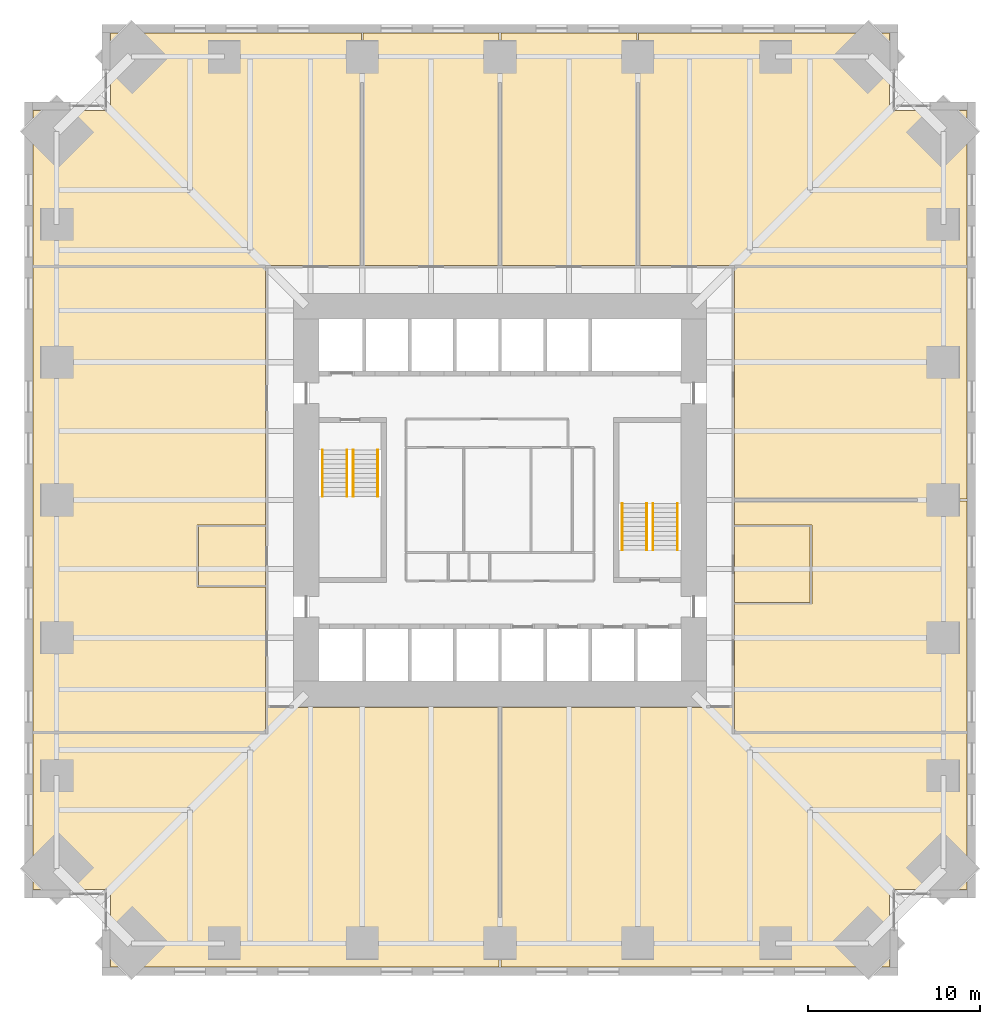
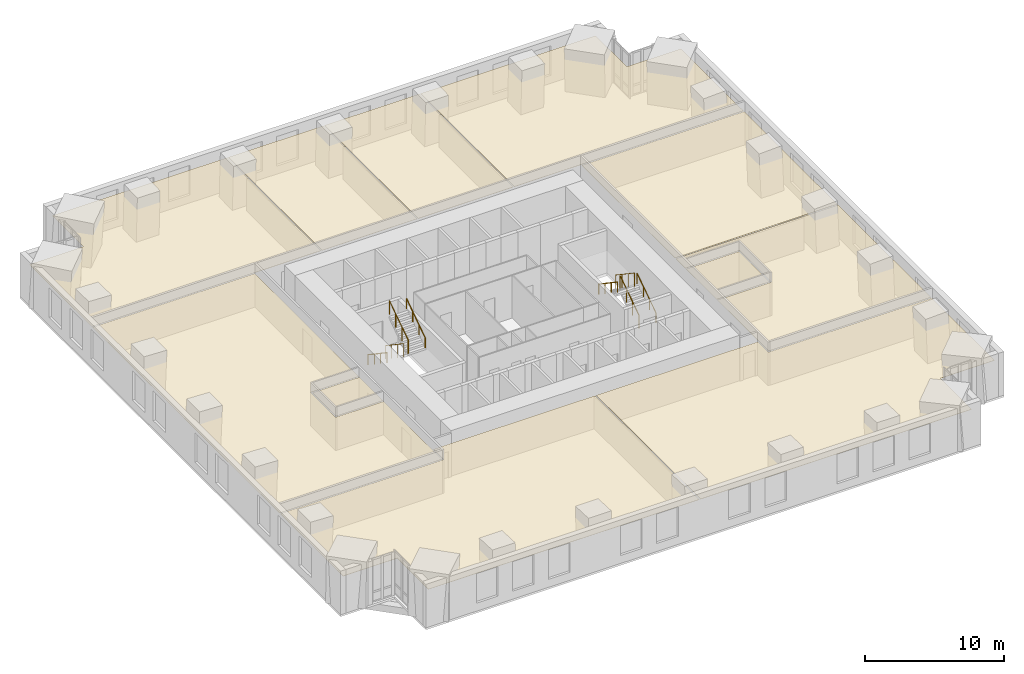
# One storey, part 16 of 16: 11 coverings, 8 railings.
"""IFC4 building model written with IfcOpenShell, lengths in metres."""

import ifcopenshell
import ifcopenshell.guid

model = None  # the IFC model being written
_history = None  # IfcOwnerHistory: only IFC2X3 demands one
_inside = {}  # id of a spatial element -> (the spatial element, [elements in it])
_under = {}  # id of a project, library or spatial element -> (it, [spatial elements below it])
_declared = {}  # id of a project -> (the project, [libraries it declares])
_typed = {}  # id of a type object -> (the type object, [elements of that type])
_made_of = {}  # id of a material, layer set ... -> (it, [elements and type objects made of it])


def new_model(schema):
    """Start an empty IFC model of exactly this schema.

    Asked for "IFC4X3", IfcOpenShell would pick the latest addendum, in which some entities
    have other attributes; the version numbers below select the first issue.
    IFC2X3 requires an IfcOwnerHistory on every rooted entity: one is made here for all.
    """
    global model, _history
    if schema == "IFC4X3":
        model = ifcopenshell.file(schema_version=(4, 3, 0, 0))
    else:
        model = ifcopenshell.file(schema=schema)
    _inside.clear()
    _under.clear()
    _declared.clear()
    _typed.clear()
    _made_of.clear()
    _history = None
    if model.schema == "IFC2X3":
        org = make("IfcOrganization", Name="unknown")
        user = make(
            "IfcPersonAndOrganization",
            ThePerson=make("IfcPerson", FamilyName="unknown"),
            TheOrganization=org,
        )
        app = make(
            "IfcApplication",
            ApplicationDeveloper=org,
            Version="unknown",
            ApplicationFullName="unknown",
            ApplicationIdentifier="unknown",
        )
        _history = make(
            "IfcOwnerHistory",
            OwningUser=user,
            OwningApplication=app,
            ChangeAction="ADDED",
            CreationDate=0,
        )
    return model


def make(cls, **values):
    """One entity of the class cls with the attributes given. An attribute that is None is left unset."""
    return model.create_entity(
        cls, **{name: value for name, value in values.items() if value is not None}
    )


def rooted(cls, **values):
    """An entity with a GlobalId (a new one), such as an element, a storey or a relation."""
    return make(cls, GlobalId=ifcopenshell.guid.new(), OwnerHistory=_history, **values)


def si_unit(unit_type, name, prefix=None):
    """IfcSIUnit, for example si_unit("LENGTHUNIT", "METRE", prefix="MILLI")."""
    return make("IfcSIUnit", UnitType=unit_type, Prefix=prefix, Name=name)


def assignment(units):
    """IfcUnitAssignment: the units of a project."""
    return None if units is None else make("IfcUnitAssignment", Units=units)


def point(xyz):
    """IfcCartesianPoint."""
    return None if xyz is None else make("IfcCartesianPoint", Coordinates=xyz)


def direction(xyz):
    """IfcDirection."""
    return None if xyz is None else make("IfcDirection", DirectionRatios=xyz)


def frame(location, z_axis=None, x_axis=None):
    """IfcAxis2Placement3D, a coordinate frame: its origin and axes. An axis left out is left unset."""
    return make(
        "IfcAxis2Placement3D",
        Location=point(location),
        Axis=direction(z_axis),
        RefDirection=direction(x_axis),
    )


def frame_2d(location, x_axis=None):
    """IfcAxis2Placement2D, a coordinate frame in the plane: its origin and x axis."""
    return make(
        "IfcAxis2Placement2D", Location=point(location), RefDirection=direction(x_axis)
    )


def origin():
    """The frame at (0, 0, 0) with its axes left unset."""
    return frame((0.0, 0.0, 0.0))


def origin_2d():
    """The frame at (0, 0) in the plane with its x axis left unset."""
    return frame_2d((0.0, 0.0))


def place(relative_to, where):
    """IfcLocalPlacement: puts the frame where relative to a parent placement (None: the world)."""
    return make(
        "IfcLocalPlacement", PlacementRelTo=relative_to, RelativePlacement=where
    )


def context(
    kind, dimensions, precision=None, world=None, true_north=None, identifier=None
):
    """IfcGeometricRepresentationContext, for example the 3D "Model" context."""
    return make(
        "IfcGeometricRepresentationContext",
        ContextIdentifier=identifier,
        ContextType=kind,
        CoordinateSpaceDimension=dimensions,
        Precision=precision,
        WorldCoordinateSystem=world,
        TrueNorth=true_north,
    )


def subcontext(parent, identifier, kind, view, scale=None):
    """IfcGeometricRepresentationSubContext, for example "Body" below "Model"."""
    return make(
        "IfcGeometricRepresentationSubContext",
        ContextIdentifier=identifier,
        ContextType=kind,
        ParentContext=parent,
        TargetScale=scale,
        TargetView=view,
    )


def project(units=None, contexts=None):
    """IfcProject with its units and contexts."""
    return rooted(
        "IfcProject",
        Name="project",
        RepresentationContexts=contexts,
        UnitsInContext=assignment(units),
    )


def spatial(cls, under=None, at=None, **own):
    """A site, building, storey or space (cls), placed at a placement, below another one or the project."""
    s = rooted(cls, ObjectPlacement=at, **own)
    if under is not None:
        _under.setdefault(under.id(), (under, []))[1].append(s)
    return s


def polyline(points):
    """IfcPolyline through the points."""
    return make("IfcPolyline", Points=[point(p) for p in points])


def profile(cls, at=None, kind="AREA", **sizes):
    """A parametric profile (cls). Its sizes go by their IFC names, for example OverallWidth=200.0."""
    return make(cls, ProfileType=kind, Position=at, **sizes)


def circle(**sizes):
    """IfcCircleProfileDef."""
    return profile("IfcCircleProfileDef", **sizes)


def outline(outer, holes=None, kind="AREA"):
    """IfcArbitraryClosedProfileDef: a profile drawn as a closed curve; with holes, ...WithVoids."""
    if holes is None:
        return make("IfcArbitraryClosedProfileDef", ProfileType=kind, OuterCurve=outer)
    return make(
        "IfcArbitraryProfileDefWithVoids",
        ProfileType=kind,
        OuterCurve=outer,
        InnerCurves=holes,
    )


def extrude(swept, where, along, depth):
    """IfcExtrudedAreaSolid: the profile swept, set in the frame where, extruded along a direction by depth."""
    return make(
        "IfcExtrudedAreaSolid",
        SweptArea=swept,
        Position=where,
        ExtrudedDirection=direction(along),
        Depth=depth,
    )


def shape(context_of_items, identifier, shape_type, items):
    """IfcShapeRepresentation: the items that make up one representation, for example the "Body"."""
    return make(
        "IfcShapeRepresentation",
        ContextOfItems=context_of_items,
        RepresentationIdentifier=identifier,
        RepresentationType=shape_type,
        Items=items,
    )


def material(Name=None, Category=None):
    """IfcMaterial."""
    return make("IfcMaterial", Name=Name, Category=Category)


def layer(
    of_material, thickness, ventilated=None, Name=None, Category=None, Priority=None
):
    """IfcMaterialLayer: one layer of a wall or slab, of a material (None: an air gap)."""
    return make(
        "IfcMaterialLayer",
        Material=of_material,
        LayerThickness=thickness,
        IsVentilated=ventilated,
        Name=Name,
        Category=Category,
        Priority=Priority,
    )


def layer_set(layers, Name=None):
    """IfcMaterialLayerSet."""
    return make("IfcMaterialLayerSet", MaterialLayers=layers, LayerSetName=Name)


def made_of(thing, what):
    """Note that an element or type object is made of a material, layer set ...; save() writes the relation."""
    if what is not None:
        _made_of.setdefault(what.id(), (what, []))[1].append(thing)
    return thing


def type_object(cls, material=None, **own):
    """A type object (cls), such as IfcWallType, which elements share."""
    return made_of(rooted(cls, **own), material)


def element(
    cls,
    number,
    at=None,
    inside=None,
    cuts=None,
    type_object=None,
    material=None,
    context=None,
    identifier="Body",
    shape_type=None,
    held_by="IfcProductDefinitionShape",
    body=None,
    shapes=None,
    **own,
):
    """One element of the class cls, such as IfcWall. Its Tag is "e" and its number.

    at: its placement. inside: the storey or other place that contains it. cuts: it is an
    opening in that element (IfcRelVoidsElement). A single representation is given by context,
    identifier, shape_type and body (its items); several are given by shapes. held_by: the class
    of the entity that holds the representations. save() writes the other relations.
    """
    e = rooted(cls, Tag="e%d" % number, ObjectPlacement=at, **own)
    if body is not None:
        shapes = [shape(context, identifier, shape_type, body)]
    if shapes is not None:
        e.Representation = make(held_by, Representations=shapes)
    if inside is not None:
        _inside.setdefault(inside.id(), (inside, []))[1].append(e)
    if cuts is not None:
        rooted(
            "IfcRelVoidsElement", RelatingBuildingElement=cuts, RelatedOpeningElement=e
        )
    if type_object is not None:
        _typed.setdefault(type_object.id(), (type_object, []))[1].append(e)
    return made_of(e, material)


def aggregate(whole, parts):
    """IfcRelAggregates: a whole, such as a stair, and the parts it consists of."""
    return rooted("IfcRelAggregates", RelatingObject=whole, RelatedObjects=parts)


def save(model, path):
    """Write the relations noted so far, then the file.

    IfcRelAggregates (storeys below a building ...), IfcRelContainedInSpatialStructure (elements
    in a storey), IfcRelDefinesByType, IfcRelAssociatesMaterial and IfcRelDeclares: one each for
    every whole, place, type object, material and project.
    """
    for whole, parts in _under.values():
        aggregate(whole, parts)
    for where, things in _inside.values():
        rooted(
            "IfcRelContainedInSpatialStructure",
            RelatedElements=things,
            RelatingStructure=where,
        )
    for kind, things in _typed.values():
        rooted("IfcRelDefinesByType", RelatedObjects=things, RelatingType=kind)
    for what, things in _made_of.values():
        rooted("IfcRelAssociatesMaterial", RelatedObjects=things, RelatingMaterial=what)
    for by, libraries in _declared.values():
        rooted("IfcRelDeclares", RelatingContext=by, RelatedDefinitions=libraries)
    model.write(path)


model = new_model("IFC4")

# Units and contexts
model_context = context("Model", 3, precision=1e-05, world=origin(), true_north=direction((0.0, 1.0)))
body_context = subcontext(model_context, "Body", "Model", "MODEL_VIEW")
ifc_project = project(units=[si_unit("LENGTHUNIT", "METRE"), si_unit("AREAUNIT", "SQUARE_METRE"), si_unit("VOLUMEUNIT", "CUBIC_METRE"), si_unit("PLANEANGLEUNIT", "RADIAN"), si_unit("MASSUNIT", "GRAM", prefix="KILO")], contexts=[model_context])

# Site, building, storey
site_placement = place(None, origin())
site = spatial("IfcSite", under=ifc_project, at=site_placement, CompositionType="ELEMENT")
building_placement = place(site_placement, origin())
building = spatial("IfcBuilding", under=site, at=building_placement, Name="Peilmerk Tower", CompositionType="ELEMENT")
storey_placement = place(building_placement, frame((0.0, 0.0, 127.800048828125)))
storey = spatial("IfcBuildingStorey", under=building, at=storey_placement, Name="L25", CompositionType="ELEMENT", Elevation=127.800048828125)

# Coverings
ifc_material_1 = material(Name="Mineral fibre ceiling tiles", Category="mineral")
ifc_layer = layer(ifc_material_1, 0.02490234375)
ifc_layer_set = layer_set([ifc_layer], Name="Mineral fibre ceiling tiles")
covering_type = type_object("IfcCoveringType", Name="CL1 25 suspended ceiling", PredefinedType="CEILING", material=ifc_layer_set)
covering_1_placement = place(storey_placement, frame((0.0, 0.0, 2.905029296875)))
element("IfcCovering", 1, at=covering_1_placement, inside=storey, type_object=covering_type, Name="Suspended ceiling Tenant suite", PredefinedType="CEILING", context=body_context, shape_type="SweptSolid", body=[
    extrude(outline(polyline([(-27.10009765625, 22.60009765625), (-27.10009765625, 13.60009765625), (-8.050048828125, 13.60009765625), (-8.050048828125, 27.10009765625), (-22.60009765625, 27.10009765625), (-22.60009765625, 22.60009765625), (-27.10009765625, 22.60009765625)])), origin(), (0.0, 0.0, 1.0), 0.02490234375),
])
covering_2_placement = place(storey_placement, frame((0.0, 0.0, 2.905029296875)))
element("IfcCovering", 2, at=covering_2_placement, inside=storey, type_object=covering_type, Name="Suspended ceiling Tenant suite", PredefinedType="CEILING", context=body_context, shape_type="SweptSolid", body=[
    extrude(outline(polyline([(-0.050048828125, 27.10009765625), (-7.949951171875, 27.10009765625), (-7.949951171875, 13.60009765625), (-0.050048828125, 13.60009765625), (-0.050048828125, 27.10009765625)])), origin(), (0.0, 0.0, 1.0), 0.02490234375),
])
covering_3_placement = place(storey_placement, frame((0.0, 0.0, 2.905029296875)))
element("IfcCovering", 3, at=covering_3_placement, inside=storey, type_object=covering_type, Name="Suspended ceiling Tenant suite", PredefinedType="CEILING", context=body_context, shape_type="SweptSolid", body=[
    extrude(outline(polyline([(7.949951171875, 27.10009765625), (0.050048828125, 27.10009765625), (0.050048828125, 13.60009765625), (7.949951171875, 13.60009765625), (7.949951171875, 27.10009765625)])), origin(), (0.0, 0.0, 1.0), 0.02490234375),
])
covering_4_placement = place(storey_placement, frame((0.0, 0.0, 2.905029296875)))
element("IfcCovering", 4, at=covering_4_placement, inside=storey, type_object=covering_type, Name="Suspended ceiling Tenant suite", PredefinedType="CEILING", context=body_context, shape_type="SweptSolid", body=[
    extrude(outline(polyline([(22.60009765625, 27.10009765625), (8.050048828125, 27.10009765625), (8.050048828125, 13.60009765625), (27.10009765625, 13.60009765625), (27.10009765625, 22.60009765625), (22.60009765625, 22.60009765625), (22.60009765625, 27.10009765625)])), origin(), (0.0, 0.0, 1.0), 0.02490234375),
])
covering_5_placement = place(storey_placement, frame((0.0, 0.0, 2.905029296875)))
element("IfcCovering", 5, at=covering_5_placement, inside=storey, type_object=covering_type, Name="Suspended ceiling Tenant suite", PredefinedType="CEILING", context=body_context, shape_type="SweptSolid", body=[
    extrude(outline(polyline([(-22.60009765625, -27.10009765625), (-0.050048828125, -27.10009765625), (-0.050048828125, -12.050048828125), (-13.5, -12.050048828125), (-13.5, -13.550048828125), (-27.10009765625, -13.550048828125), (-27.10009765625, -22.60009765625), (-22.60009765625, -22.60009765625), (-22.60009765625, -27.10009765625)])), origin(), (0.0, 0.0, 1.0), 0.02490234375),
])
covering_6_placement = place(storey_placement, frame((0.0, 0.0, 2.905029296875)))
element("IfcCovering", 6, at=covering_6_placement, inside=storey, type_object=covering_type, Name="Suspended ceiling Tenant suite", PredefinedType="CEILING", context=body_context, shape_type="SweptSolid", body=[
    extrude(outline(polyline([(0.050048828125, -27.10009765625), (22.60009765625, -27.10009765625), (22.60009765625, -22.60009765625), (27.10009765625, -22.60009765625), (27.10009765625, -13.550048828125), (13.5, -13.550048828125), (13.5, -12.050048828125), (0.050048828125, -12.050048828125), (0.050048828125, -27.10009765625)])), origin(), (0.0, 0.0, 1.0), 0.02490234375),
])
covering_7_placement = place(storey_placement, frame((0.0, 0.0, 2.905029296875)))
element("IfcCovering", 7, at=covering_7_placement, inside=storey, type_object=covering_type, Name="Suspended ceiling Tenant suite", PredefinedType="CEILING", context=body_context, shape_type="SweptSolid", body=[
    extrude(outline(polyline([(13.60009765625, -13.449951171875), (27.10009765625, -13.449951171875), (27.10009765625, -0.050048828125), (13.60009765625, -0.050048828125), (13.60009765625, -1.449951171875), (18.10009765625, -1.449951171875), (18.10009765625, -6.050048828125), (13.60009765625, -6.050048828125), (13.60009765625, -13.449951171875)])), origin(), (0.0, 0.0, 1.0), 0.02490234375),
])
covering_8_placement = place(storey_placement, frame((0.0, 0.0, 2.905029296875)))
element("IfcCovering", 8, at=covering_8_placement, inside=storey, type_object=covering_type, Name="Suspended ceiling Tenant suite", PredefinedType="CEILING", context=body_context, shape_type="SweptSolid", body=[
    extrude(outline(polyline([(27.10009765625, 0.050048828125), (27.10009765625, 13.5), (13.60009765625, 13.5), (13.60009765625, 0.050048828125), (27.10009765625, 0.050048828125)])), origin(), (0.0, 0.0, 1.0), 0.02490234375),
])
covering_9_placement = place(storey_placement, frame((0.0, 0.0, 2.905029296875)))
element("IfcCovering", 9, at=covering_9_placement, inside=storey, type_object=covering_type, Name="Suspended ceiling Meeting room", PredefinedType="CEILING", context=body_context, shape_type="SweptSolid", body=[
    extrude(outline(polyline([(18.0, -5.949951171875), (18.0, -1.550048828125), (13.60009765625, -1.550048828125), (13.60009765625, -5.949951171875), (18.0, -5.949951171875)])), origin(), (0.0, 0.0, 1.0), 0.02490234375),
])
covering_10_placement = place(storey_placement, frame((0.0, 0.0, 2.905029296875)))
element("IfcCovering", 10, at=covering_10_placement, inside=storey, type_object=covering_type, Name="Suspended ceiling Tenant suite", PredefinedType="CEILING", context=body_context, shape_type="SweptSolid", body=[
    extrude(outline(polyline([(-13.60009765625, 13.5), (-27.10009765625, 13.5), (-27.10009765625, -13.449951171875), (-13.60009765625, -13.449951171875), (-13.60009765625, -5.050048828125), (-17.60009765625, -5.050048828125), (-17.60009765625, -1.449951171875), (-13.60009765625, -1.449951171875), (-13.60009765625, 13.5)])), origin(), (0.0, 0.0, 1.0), 0.02490234375),
])
covering_11_placement = place(storey_placement, frame((0.0, 0.0, 2.905029296875)))
element("IfcCovering", 11, at=covering_11_placement, inside=storey, type_object=covering_type, Name="Suspended ceiling Pantry", PredefinedType="CEILING", context=body_context, shape_type="SweptSolid", body=[
    extrude(outline(polyline([(-13.60009765625, -4.949951171875), (-13.60009765625, -1.550048828125), (-17.5, -1.550048828125), (-17.5, -4.949951171875), (-13.60009765625, -4.949951171875)])), origin(), (0.0, 0.0, 1.0), 0.02490234375),
])

# Railings
ifc_material_2 = material(Name="Steel flat bar balustrade", Category="steel")
railing_type_1 = type_object("IfcRailingType", Name="GR1 1200 stair guard", PredefinedType="GUARDRAIL", material=ifc_material_2)
railing_1_placement = place(storey_placement, frame((-8.8798828125, 2.89990234375, 0.181884765625)))
element("IfcRailing", 12, at=railing_1_placement, inside=storey, type_object=railing_type_1, Name="Guard stair 1 L25", PredefinedType="GUARDRAIL", context=body_context, shape_type="SweptSolid", body=[
    extrude(circle(Radius=0.02392578125, at=origin_2d()), frame((0.0, 0.0, 1.17578125), z_axis=(0.0, -0.829468130872, 0.55855404382), x_axis=(1.0, 0.0, 0.0)), (0.0, 0.0, 1.0), 3.255126953125),
    extrude(circle(Radius=0.02099609375, at=origin_2d()), origin(), (0.0, 0.0, 1.0), 1.15185546875),
    extrude(circle(Radius=0.02099609375, at=origin_2d()), frame((0.0, -0.89990234375, 0.60595703125)), (0.0, 0.0, 1.0), 1.15185546875),
    extrude(circle(Radius=0.02099609375, at=origin_2d()), frame((0.0, -1.800048828125, 1.212158203125)), (0.0, 0.0, 1.0), 1.15185546875),
    extrude(circle(Radius=0.02099609375, at=origin_2d()), frame((0.0, -2.699951171875, 1.818115234375)), (0.0, 0.0, 1.0), 1.15185546875),
])
for number, where, name in (
    (13, (-8.52001953125, 0.199951171875, 2.181884765625), "Guard stair 1 L25"),
    (14, (8.8798828125, -2.89990234375, 0.181884765625), "Guard stair 2 L25"),
):
    element("IfcRailing", number, at=place(storey_placement, frame(where)), inside=storey, type_object=railing_type_1, Name=name, PredefinedType="GUARDRAIL", context=body_context, shape_type="SweptSolid", body=[
        extrude(circle(Radius=0.02392578125, at=origin_2d()), frame((0.0, 0.0, 1.17578125), z_axis=(0.0, 0.829468130872, 0.55855404382), x_axis=(-1.0, 0.0, 0.0)), (0.0, 0.0, 1.0), 3.255126953125),
        extrude(circle(Radius=0.02099609375, at=origin_2d()), origin(), (0.0, 0.0, 1.0), 1.15185546875),
        extrude(circle(Radius=0.02099609375, at=origin_2d()), frame((0.0, 0.89990234375, 0.60595703125)), (0.0, 0.0, 1.0), 1.15185546875),
        extrude(circle(Radius=0.02099609375, at=origin_2d()), frame((0.0, 1.800048828125, 1.212158203125)), (0.0, 0.0, 1.0), 1.15185546875),
        extrude(circle(Radius=0.02099609375, at=origin_2d()), frame((0.0, 2.699951171875, 1.818115234375)), (0.0, 0.0, 1.0), 1.15185546875),
    ])
railing_2_placement = place(storey_placement, frame((8.52001953125, -0.199951171875, 2.181884765625)))
element("IfcRailing", 15, at=railing_2_placement, inside=storey, type_object=railing_type_1, Name="Guard stair 2 L25", PredefinedType="GUARDRAIL", context=body_context, shape_type="SweptSolid", body=[
    extrude(circle(Radius=0.02392578125, at=origin_2d()), frame((0.0, 0.0, 1.17578125), z_axis=(0.0, -0.829468130872, 0.55855404382), x_axis=(1.0, 0.0, 0.0)), (0.0, 0.0, 1.0), 3.255126953125),
    extrude(circle(Radius=0.02099609375, at=origin_2d()), origin(), (0.0, 0.0, 1.0), 1.15185546875),
    extrude(circle(Radius=0.02099609375, at=origin_2d()), frame((0.0, -0.89990234375, 0.60595703125)), (0.0, 0.0, 1.0), 1.15185546875),
    extrude(circle(Radius=0.02099609375, at=origin_2d()), frame((0.0, -1.800048828125, 1.212158203125)), (0.0, 0.0, 1.0), 1.15185546875),
    extrude(circle(Radius=0.02099609375, at=origin_2d()), frame((0.0, -2.699951171875, 1.818115234375)), (0.0, 0.0, 1.0), 1.15185546875),
])
ifc_material_3 = material(Name="Stainless steel tube", Category="steel")
railing_type_2 = type_object("IfcRailingType", Name="HR1 900 stair handrail", PredefinedType="HANDRAIL", material=ifc_material_3)
railing_3_placement = place(storey_placement, frame((-10.300048828125, 2.89990234375, 0.181884765625)))
element("IfcRailing", 16, at=railing_3_placement, inside=storey, type_object=railing_type_2, Name="Handrail stair 1 L25", PredefinedType="HANDRAIL", context=body_context, shape_type="SweptSolid", body=[
    extrude(circle(Radius=0.02392578125, at=origin_2d()), frame((0.0, 0.0, 0.8759765625), z_axis=(0.0, -0.829468130872, 0.55855404382), x_axis=(1.0, 0.0, 0.0)), (0.0, 0.0, 1.0), 3.255126953125),
    extrude(circle(Radius=0.02099609375, at=origin_2d()), origin(), (0.0, 0.0, 1.0), 0.851806640625),
    extrude(circle(Radius=0.02099609375, at=origin_2d()), frame((0.0, -0.89990234375, 0.60595703125)), (0.0, 0.0, 1.0), 0.851806640625),
    extrude(circle(Radius=0.02099609375, at=origin_2d()), frame((0.0, -1.800048828125, 1.212158203125)), (0.0, 0.0, 1.0), 0.851806640625),
    extrude(circle(Radius=0.02099609375, at=origin_2d()), frame((0.0, -2.699951171875, 1.818115234375)), (0.0, 0.0, 1.0), 0.851806640625),
])
for number, where, name in (
    (17, (-7.10009765625, 0.199951171875, 2.181884765625), "Handrail stair 1 L25"),
    (18, (10.300048828125, -2.89990234375, 0.181884765625), "Handrail stair 2 L25"),
):
    element("IfcRailing", number, at=place(storey_placement, frame(where)), inside=storey, type_object=railing_type_2, Name=name, PredefinedType="HANDRAIL", context=body_context, shape_type="SweptSolid", body=[
        extrude(circle(Radius=0.02392578125, at=origin_2d()), frame((0.0, 0.0, 0.8759765625), z_axis=(0.0, 0.829468130872, 0.55855404382), x_axis=(-1.0, 0.0, 0.0)), (0.0, 0.0, 1.0), 3.255126953125),
        extrude(circle(Radius=0.02099609375, at=origin_2d()), origin(), (0.0, 0.0, 1.0), 0.851806640625),
        extrude(circle(Radius=0.02099609375, at=origin_2d()), frame((0.0, 0.89990234375, 0.60595703125)), (0.0, 0.0, 1.0), 0.851806640625),
        extrude(circle(Radius=0.02099609375, at=origin_2d()), frame((0.0, 1.800048828125, 1.212158203125)), (0.0, 0.0, 1.0), 0.851806640625),
        extrude(circle(Radius=0.02099609375, at=origin_2d()), frame((0.0, 2.699951171875, 1.818115234375)), (0.0, 0.0, 1.0), 0.851806640625),
    ])
railing_4_placement = place(storey_placement, frame((7.10009765625, -0.199951171875, 2.181884765625)))
element("IfcRailing", 19, at=railing_4_placement, inside=storey, type_object=railing_type_2, Name="Handrail stair 2 L25", PredefinedType="HANDRAIL", context=body_context, shape_type="SweptSolid", body=[
    extrude(circle(Radius=0.02392578125, at=origin_2d()), frame((0.0, 0.0, 0.8759765625), z_axis=(0.0, -0.829468130872, 0.55855404382), x_axis=(1.0, 0.0, 0.0)), (0.0, 0.0, 1.0), 3.255126953125),
    extrude(circle(Radius=0.02099609375, at=origin_2d()), origin(), (0.0, 0.0, 1.0), 0.851806640625),
    extrude(circle(Radius=0.02099609375, at=origin_2d()), frame((0.0, -0.89990234375, 0.60595703125)), (0.0, 0.0, 1.0), 0.851806640625),
    extrude(circle(Radius=0.02099609375, at=origin_2d()), frame((0.0, -1.800048828125, 1.212158203125)), (0.0, 0.0, 1.0), 0.851806640625),
    extrude(circle(Radius=0.02099609375, at=origin_2d()), frame((0.0, -2.699951171875, 1.818115234375)), (0.0, 0.0, 1.0), 0.851806640625),
])

save(model, "model.ifc")
